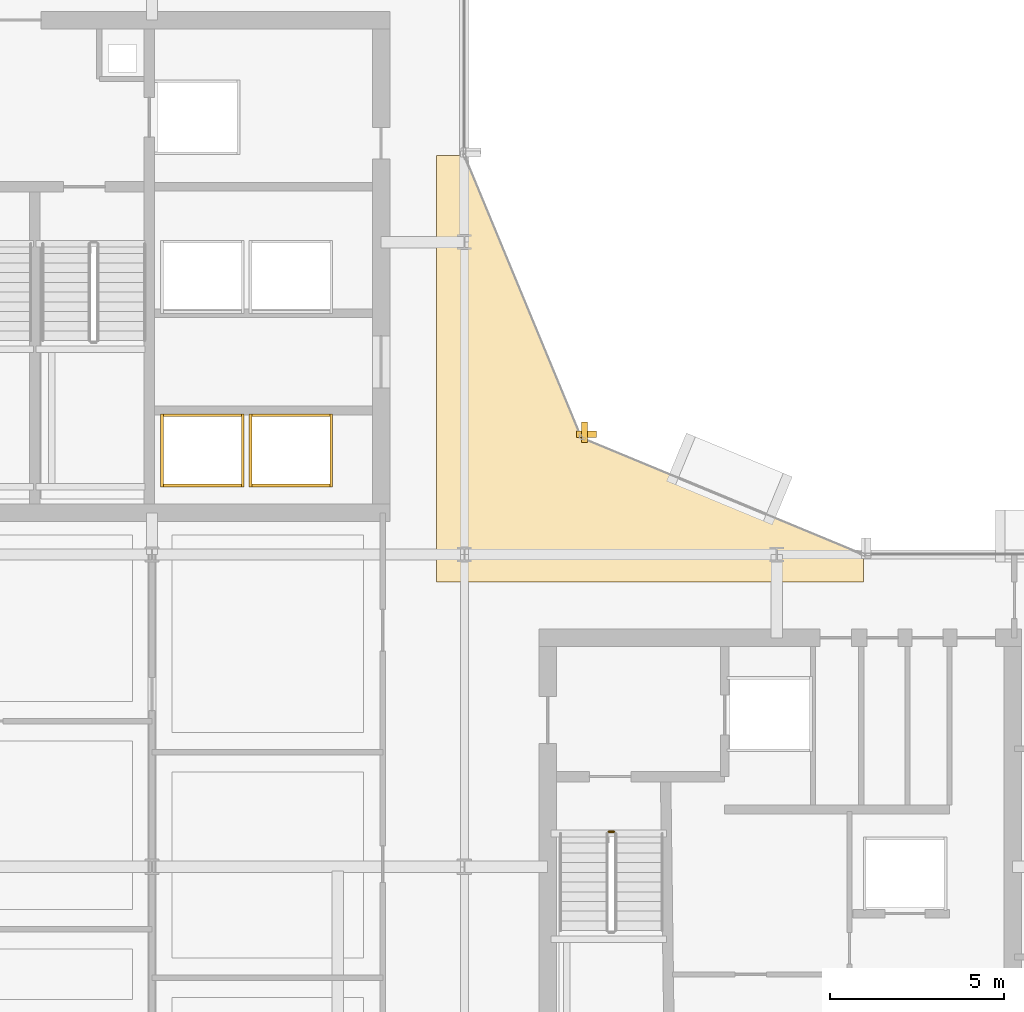
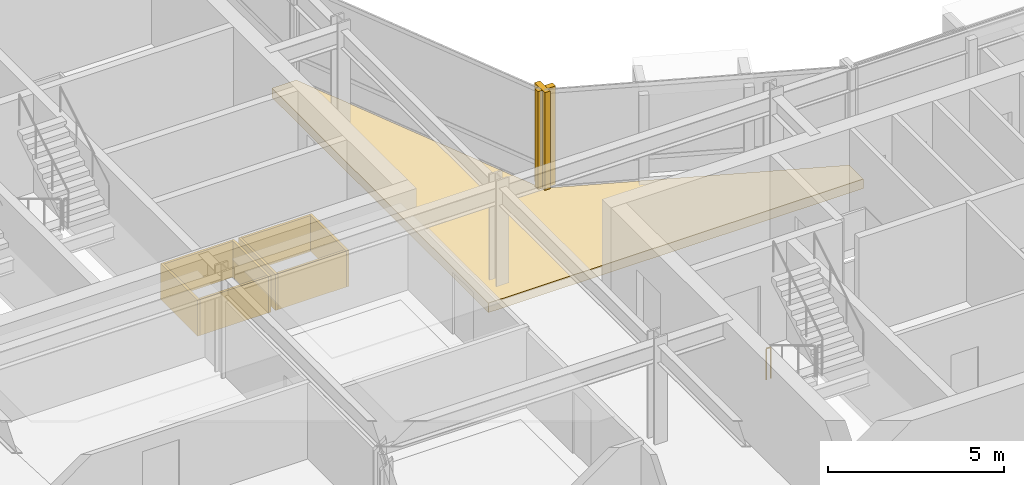
# One storey, part 27 of 29: 11 coverings, 1 railing.
"""IFC4 building model written with IfcOpenShell, lengths in metres."""

from ifc_helpers import new_model, si_unit, direction, frame, origin, origin_2d, place, context, subcontext, project, spatial, polyline, rectangle, circle, outline, extrude, material, layer, layer_set, type_object, element, save


model = new_model("IFC4")

# Units and contexts
model_context = context("Model", 3, precision=1e-05, world=origin(), true_north=direction((0.0, 1.0)))
body_context = subcontext(model_context, "Body", "Model", "MODEL_VIEW")
ifc_project = project(units=[si_unit("LENGTHUNIT", "METRE"), si_unit("AREAUNIT", "SQUARE_METRE"), si_unit("VOLUMEUNIT", "CUBIC_METRE"), si_unit("PLANEANGLEUNIT", "RADIAN"), si_unit("MASSUNIT", "GRAM", prefix="KILO")], contexts=[model_context])

# Site, building, storey
site_placement = place(None, origin())
site = spatial("IfcSite", under=ifc_project, at=site_placement, CompositionType="ELEMENT")
building_placement = place(site_placement, origin())
building = spatial("IfcBuilding", under=site, at=building_placement, Name="Solvaryn Broadcast Tower", CompositionType="ELEMENT")
storey_placement = place(building_placement, frame((0.0, 0.0, 161.800048828125)))
storey = spatial("IfcBuildingStorey", under=building, at=storey_placement, Name="L40", CompositionType="ELEMENT", Elevation=161.800048828125)

# Coverings
ifc_material_1 = material(Name="Fire-Rated Gypsum Shaftwall Liner", Category="concrete")
ifc_layer_1 = layer(ifc_material_1, 0.080078125)
ifc_layer_set_1 = layer_set([ifc_layer_1], Name="CV-SHAFT-LINER")
covering_type_1 = type_object("IfcCoveringType", Name="CV-SHAFT-LINER", PredefinedType="CLADDING", material=ifc_layer_set_1)
for number, where, z_axis, x_axis, name in (
    (1, (19.449951171875, 31.014892578125, 0.0), (0.0, 0.0, 1.0), (1.0, 0.0, 0.0), "L40 PH1 Hoistway Shaft Liner North"),
    (2, (19.449951171875, 28.985107421875, 0.0), (0.0, 0.0, 1.0), (1.0, 0.0, 0.0), "L40 PH1 Hoistway Shaft Liner South"),
):
    element("IfcCovering", number, at=place(storey_placement, frame(where, z_axis=z_axis, x_axis=x_axis)), inside=storey, type_object=covering_type_1, Name=name, PredefinedType="CLADDING", context=body_context, shape_type="SweptSolid", body=[
        extrude(rectangle(XDim=2.409912109375, YDim=0.080078125, at=origin_2d()), origin(), (0.0, 0.0, 1.0), 1.25),
    ])
for number, where, z_axis, x_axis, name in (
    (3, (20.614990234375, 30.0, 0.0), (0.0, 0.0, 1.0), (1.0, 0.0, 0.0), "L40 PH1 Hoistway Shaft Liner East"),
    (4, (18.284912109375, 30.0, 0.0), (0.0, 0.0, 1.0), (1.0, 0.0, 0.0), "L40 PH1 Hoistway Shaft Liner West"),
):
    element("IfcCovering", number, at=place(storey_placement, frame(where, z_axis=z_axis, x_axis=x_axis)), inside=storey, type_object=covering_type_1, Name=name, PredefinedType="CLADDING", context=body_context, shape_type="SweptSolid", body=[
        extrude(rectangle(XDim=0.080078125, YDim=2.110107421875, at=origin_2d()), origin(), (0.0, 0.0, 1.0), 1.25),
    ])
for number, where, z_axis, x_axis, name in (
    (5, (22.0, 31.014892578125, 0.0), (0.0, 0.0, 1.0), (1.0, 0.0, 0.0), "L40 PH2 Hoistway Shaft Liner North"),
    (6, (22.0, 28.985107421875, 0.0), (0.0, 0.0, 1.0), (1.0, 0.0, 0.0), "L40 PH2 Hoistway Shaft Liner South"),
):
    element("IfcCovering", number, at=place(storey_placement, frame(where, z_axis=z_axis, x_axis=x_axis)), inside=storey, type_object=covering_type_1, Name=name, PredefinedType="CLADDING", context=body_context, shape_type="SweptSolid", body=[
        extrude(rectangle(XDim=2.409912109375, YDim=0.080078125, at=origin_2d()), origin(), (0.0, 0.0, 1.0), 1.25),
    ])
for number, where, z_axis, x_axis, name in (
    (7, (23.1650390625, 30.0, 0.0), (0.0, 0.0, 1.0), (1.0, 0.0, 0.0), "L40 PH2 Hoistway Shaft Liner East"),
    (8, (20.8349609375, 30.0, 0.0), (0.0, 0.0, 1.0), (1.0, 0.0, 0.0), "L40 PH2 Hoistway Shaft Liner West"),
):
    element("IfcCovering", number, at=place(storey_placement, frame(where, z_axis=z_axis, x_axis=x_axis)), inside=storey, type_object=covering_type_1, Name=name, PredefinedType="CLADDING", context=body_context, shape_type="SweptSolid", body=[
        extrude(rectangle(XDim=0.080078125, YDim=2.110107421875, at=origin_2d()), origin(), (0.0, 0.0, 1.0), 1.25),
    ])
ifc_material_2 = material(Name="Extruded Architectural Terracotta Fin", Category="masonry")
ifc_layer_2 = layer(ifc_material_2, 0.179931640625)
ifc_layer_set_2 = layer_set([ifc_layer_2], Name="CV-TC-FIN")
covering_type_2 = type_object("IfcCoveringType", Name="CV-TC-FIN", PredefinedType="USERDEFINED", material=ifc_layer_set_2)
covering_1_placement = place(storey_placement, frame((30.464599609375, 30.52294921875, 0.0), z_axis=(0.0, 0.0, 1.0), x_axis=(1.0, 0.0, 0.0)))
element("IfcCovering", 9, at=covering_1_placement, inside=storey, type_object=covering_type_2, Name="L40 Terracotta Vertical Fin FIN-L40-CN1-M01", ObjectType="FIN", PredefinedType="USERDEFINED", context=body_context, shape_type="SweptSolid", body=[
    extrude(rectangle(XDim=0.179931640625, YDim=0.580078125, at=origin_2d()), origin(), (0.0, 0.0, 1.0), 3.419921875),
])
covering_2_placement = place(storey_placement, frame((30.52294921875, 30.464599609375, 0.0), z_axis=(0.0, 0.0, 1.0), x_axis=(1.0, 0.0, 0.0)))
element("IfcCovering", 10, at=covering_2_placement, inside=storey, type_object=covering_type_2, Name="L40 Terracotta Vertical Fin FIN-L40-CN2-M00", ObjectType="FIN", PredefinedType="USERDEFINED", context=body_context, shape_type="SweptSolid", body=[
    extrude(rectangle(XDim=0.580078125, YDim=0.179931640625, at=origin_2d()), origin(), (0.0, 0.0, 1.0), 3.419921875),
])
ifc_material_3 = material(Name="Sculpted Architectural Terracotta Wave Fascia", Category="masonry")
ifc_layer_3 = layer(ifc_material_3, 0.340087890625)
ifc_layer_set_3 = layer_set([ifc_layer_3], Name="CV-WAVE-TRAY")
covering_type_3 = type_object("IfcCoveringType", Name="CV-WAVE-TRAY", PredefinedType="CLADDING", material=ifc_layer_set_3)
covering_3_placement = place(storey_placement, frame((0.0, 0.0, -0.300048828125)))
element("IfcCovering", 11, at=covering_3_placement, inside=storey, type_object=covering_type_3, Name="L40 Concave Canyon Floor Apron", PredefinedType="CLADDING", context=body_context, shape_type="SweptSolid", body=[
    extrude(outline(polyline([(26.199951171875, 26.199951171875), (38.5, 26.199951171875), (38.5, 27.0), (30.367919921875, 30.367919921875), (27.0, 38.5), (26.199951171875, 38.5), (26.199951171875, 26.199951171875)])), origin(), (0.0, 0.0, 1.0), 0.330078125),
])

# Railing
ifc_material_4 = material(Name="Painted Steel Stair Well Guard", Category="steel")
railing_type = type_object("IfcRailingType", Name="RL-STAIR-GUARD", PredefinedType="BALUSTRADE", material=ifc_material_4)
railing_placement = place(storey_placement, frame((31.159912109375, 19.010009765625, 0.0)))
element("IfcRailing", 12, at=railing_placement, inside=storey, type_object=railing_type, Name="L40 ST3 stair guard 4", PredefinedType="BALUSTRADE", context=body_context, shape_type="SweptSolid", body=[
    extrude(circle(Radius=0.02392578125, at=origin_2d()), frame((0.0, 0.0, 1.076171875), z_axis=(1.0, 0.0, 0.0), x_axis=(0.0, 1.0, 0.0)), (0.0, 0.0, 1.0), 0.150146484375),
    extrude(circle(Radius=0.02099609375, at=origin_2d()), origin(), (0.0, 0.0, 1.0), 1.052001953125),
    extrude(circle(Radius=0.02099609375, at=origin_2d()), frame((0.150146484375, 0.0, 0.0)), (0.0, 0.0, 1.0), 1.052001953125),
])

save(model, "model.ifc")
